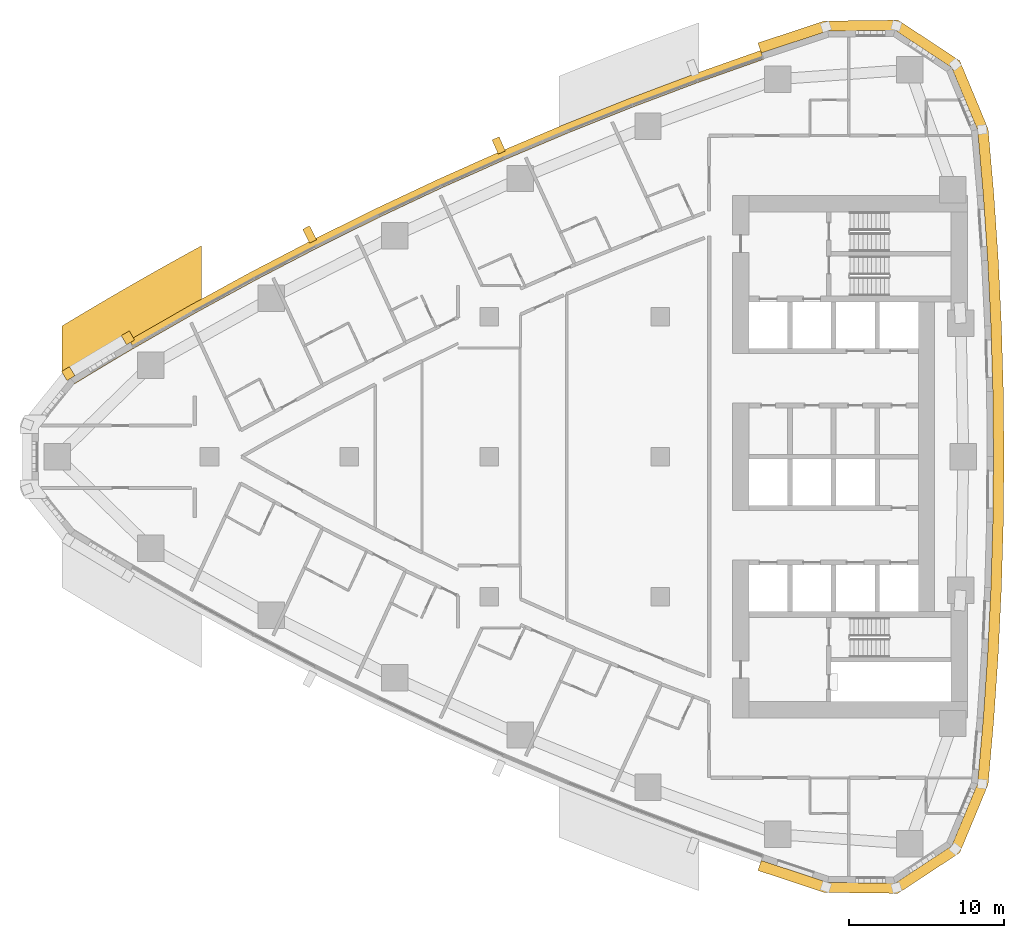
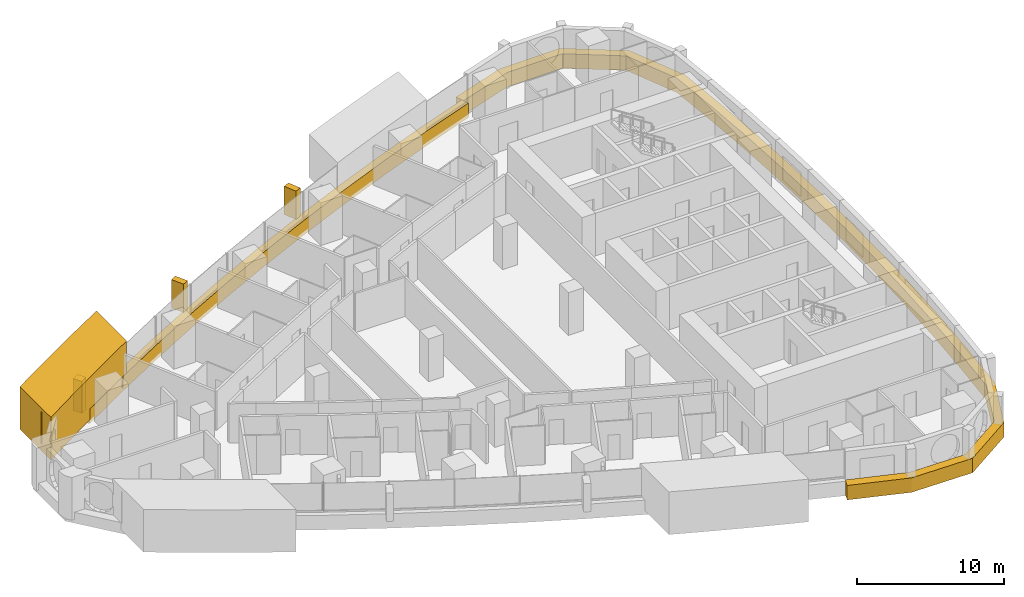
# One storey, part 16 of 17: 7 coverings.
"""IFC4 building model written with IfcOpenShell, lengths in metres."""

from ifc_helpers import new_model, si_unit, direction, frame, frame_2d, origin, place, context, subcontext, project, spatial, polyline, rectangle, outline, extrude, material, layer, layer_set, type_object, element, save


model = new_model("IFC4")

# Units and contexts
model_context = context("Model", 3, precision=1e-05, world=origin(), true_north=direction((0.0, 1.0)))
body_context = subcontext(model_context, "Body", "Model", "MODEL_VIEW")
ifc_project = project(units=[si_unit("LENGTHUNIT", "METRE"), si_unit("AREAUNIT", "SQUARE_METRE"), si_unit("VOLUMEUNIT", "CUBIC_METRE"), si_unit("PLANEANGLEUNIT", "RADIAN"), si_unit("MASSUNIT", "GRAM", prefix="KILO")], contexts=[model_context])

# Site, building, storey
site_placement = place(None, origin())
site = spatial("IfcSite", under=ifc_project, at=site_placement, CompositionType="ELEMENT")
building_placement = place(site_placement, origin())
building = spatial("IfcBuilding", under=site, at=building_placement, Name="Ostrand Prow Hotel Tower", CompositionType="ELEMENT")
storey_placement = place(building_placement, frame((0.0, 0.0, 106.199951171875)))
storey = spatial("IfcBuildingStorey", under=building, at=storey_placement, Name="L25", CompositionType="ELEMENT", Elevation=106.199951171875)

# Coverings
ifc_material_1 = material(Name="Bronze anodised aluminium cladding", Category="aluminium")
ifc_layer_1 = layer(ifc_material_1, 0.60009765625)
ifc_layer_set_1 = layer_set([ifc_layer_1], Name="Bronze anodised aluminium cladding")
covering_type_1 = type_object("IfcCoveringType", Name="Bronze spandrel band 1200x600", PredefinedType="CLADDING", material=ifc_layer_set_1)
covering_1_placement = place(storey_placement, frame((0.0, 0.0, -0.300048828125)))
element("IfcCovering", 1, at=covering_1_placement, inside=storey, type_object=covering_type_1, Name="Spandrel band N1", PredefinedType="CLADDING", context=body_context, shape_type="SweptSolid", body=[
    extrude(outline(polyline([(51.4501953125, 26.1328125), (47.231201171875, 24.64013671875), (43.042724609375, 23.0634765625), (38.88671875, 21.4033203125), (34.764892578125, 19.659912109375), (30.6787109375, 17.834716796875), (26.6298828125, 15.927734375), (22.620361328125, 13.940185546875), (18.651123046875, 11.872802734375), (14.72412109375, 9.726318359375), (10.841064453125, 7.50146484375), (11.144287109375, 6.98388671875), (15.01708984375, 9.20263671875), (18.93359375, 11.343505859375), (22.89208984375, 13.4052734375), (26.89111328125, 15.3876953125), (30.928955078125, 17.289306640625), (35.004150390625, 19.10986328125), (39.114990234375, 20.848388671875), (43.259765625, 22.504150390625), (47.43701171875, 24.076416015625), (51.644775390625, 25.56494140625), (51.4501953125, 26.1328125)])), origin(), (0.0, 0.0, 1.0), 1.2001953125),
])
covering_2_placement = place(storey_placement, frame((0.0, 0.0, -0.300048828125)))
element("IfcCovering", 2, at=covering_2_placement, inside=storey, type_object=covering_type_1, Name="Spandrel band back 1", PredefinedType="CLADDING", context=body_context, shape_type="SweptSolid", body=[
    extrude(outline(polyline([(51.28369140625, -26.619384765625), (55.54150390625, -28.0302734375), (60.2958984375, -28.09033203125), (64.267578125, -25.476806640625), (66.09326171875, -21.086669921875), (66.460693359375, -16.87890625), (66.74658203125, -12.664794921875), (66.950927734375, -8.44580078125), (67.073486328125, -4.2236328125), (67.114501953125, 0.0), (67.073486328125, 4.2236328125), (66.950927734375, 8.44580078125), (66.74658203125, 12.664794921875), (66.460693359375, 16.87890625), (66.09326171875, 21.086669921875), (64.267578125, 25.476806640625), (60.2958984375, 28.09033203125), (55.54150390625, 28.0302734375), (51.28369140625, 26.619384765625), (51.50390625, 25.97607421875), (55.7490234375, 27.3828125), (60.104736328125, 27.437744140625), (63.74365234375, 25.043212890625), (65.41650390625, 21.02099609375), (65.78271484375, 16.826416015625), (66.067626953125, 12.625244140625), (66.271484375, 8.41943359375), (66.393798828125, 4.21044921875), (66.434326171875, 0.0), (66.393798828125, -4.21044921875), (66.271484375, -8.41943359375), (66.067626953125, -12.625244140625), (65.78271484375, -16.826416015625), (65.41650390625, -21.02099609375), (63.74365234375, -25.043212890625), (60.104736328125, -27.437744140625), (55.7490234375, -27.3828125), (51.50390625, -25.97607421875), (51.28369140625, -26.619384765625)])), origin(), (0.0, 0.0, 1.0), 1.2001953125),
])
ifc_material_2 = material(Name="Limestone cladding", Category="masonry")
ifc_layer_2 = layer(ifc_material_2, 5.0)
ifc_layer_set_2 = layer_set([ifc_layer_2], Name="Limestone cladding")
covering_type_2 = type_object("IfcCoveringType", Name="Portal jamb pilaster limestone", PredefinedType="CLADDING", material=ifc_layer_set_2)
covering_3_placement = place(storey_placement, origin())
element("IfcCovering", 3, at=covering_3_placement, inside=storey, type_object=covering_type_2, Name="Portal jamb NA L25", PredefinedType="CLADDING", context=body_context, shape_type="SweptSolid", body=[
    extrude(outline(polyline([(6.5, 4.184326171875), (7.5, 4.80029296875), (8.5, 5.40869140625), (9.5, 6.01025390625), (10.5, 6.6044921875), (11.5, 7.19189453125), (12.5, 7.772216796875), (13.5, 8.345703125), (14.5, 8.912353515625), (15.5, 9.47216796875), (15.5, 13.581787109375), (14.5, 13.03369140625), (13.5, 12.478759765625), (12.5, 11.91748046875), (11.5, 11.349365234375), (10.5, 10.7744140625), (9.5, 10.19287109375), (8.5, 9.604248046875), (7.5, 9.0087890625), (6.5, 8.40625), (6.5, 4.184326171875)])), origin(), (0.0, 0.0, 1.0), 3.550048828125),
])
ifc_material_3 = material(Name="Limestone cladding", Category="masonry")
ifc_layer_3 = layer(ifc_material_3, 0.5)
ifc_layer_set_3 = layer_set([ifc_layer_3], Name="Limestone cladding")
covering_type_3 = type_object("IfcCoveringType", Name="Precast stone fin 500x900", PredefinedType="CLADDING", material=ifc_layer_set_3)
covering_4_placement = place(storey_placement, frame((34.8046875, 19.568359375, 0.900146484375), z_axis=(0.0, 0.0, 1.0), x_axis=(-0.398717183359, 0.917073937965, 0.0)))
element("IfcCovering", 4, at=covering_4_placement, inside=storey, type_object=covering_type_3, Name="Stone fin N 5", PredefinedType="CLADDING", context=body_context, shape_type="SweptSolid", body=[
    extrude(rectangle(XDim=1.0, YDim=0.5, at=frame_2d((0.5, 0.0))), origin(), (0.0, 0.0, 1.0), 2.349853515625),
])
covering_5_placement = place(storey_placement, frame((22.66552734375, 13.85107421875, 0.900146484375), z_axis=(0.0, 0.0, 1.0), x_axis=(-0.453062569589, 0.891478719902, 0.0)))
element("IfcCovering", 5, at=covering_5_placement, inside=storey, type_object=covering_type_3, Name="Stone fin N 8", PredefinedType="CLADDING", context=body_context, shape_type="SweptSolid", body=[
    extrude(rectangle(XDim=1.000244140625, YDim=0.5, at=frame_2d((0.5, 0.0))), origin(), (0.0, 0.0, 1.0), 2.349853515625),
])
ifc_material_4 = material(Name="Limestone cladding", Category="masonry")
ifc_layer_4 = layer(ifc_material_4, 0.60009765625)
ifc_layer_set_4 = layer_set([ifc_layer_4], Name="Limestone cladding")
covering_type_4 = type_object("IfcCoveringType", Name="Precast stone prow rib 600x600", PredefinedType="CLADDING", material=ifc_layer_set_4)
covering_6_placement = place(storey_placement, frame((10.9248046875, 7.358642578125, 0.60009765625), z_axis=(0.0, 0.0, 1.0), x_axis=(-0.505811626043, 0.862643958397, 0.0)))
element("IfcCovering", 6, at=covering_6_placement, inside=storey, type_object=covering_type_4, Name="Stone prow rib 1", PredefinedType="CLADDING", context=body_context, shape_type="SweptSolid", body=[
    extrude(rectangle(XDim=0.68017578125, YDim=0.60009765625, at=frame_2d((0.340087890625, 0.0))), origin(), (0.0, 0.0, 1.0), 2.64990234375),
])
covering_7_placement = place(storey_placement, frame((7.089599609375, 5.058349609375, 0.60009765625), z_axis=(0.0, 0.0, 1.0), x_axis=(-0.522814637618, 0.852446394029, 0.0)))
element("IfcCovering", 7, at=covering_7_placement, inside=storey, type_object=covering_type_4, Name="Stone prow rib 2", PredefinedType="CLADDING", context=body_context, shape_type="SweptSolid", body=[
    extrude(rectangle(XDim=0.679931640625, YDim=0.60009765625, at=frame_2d((0.33984375, 0.0))), origin(), (0.0, 0.0, 1.0), 2.64990234375),
])

save(model, "model.ifc")
